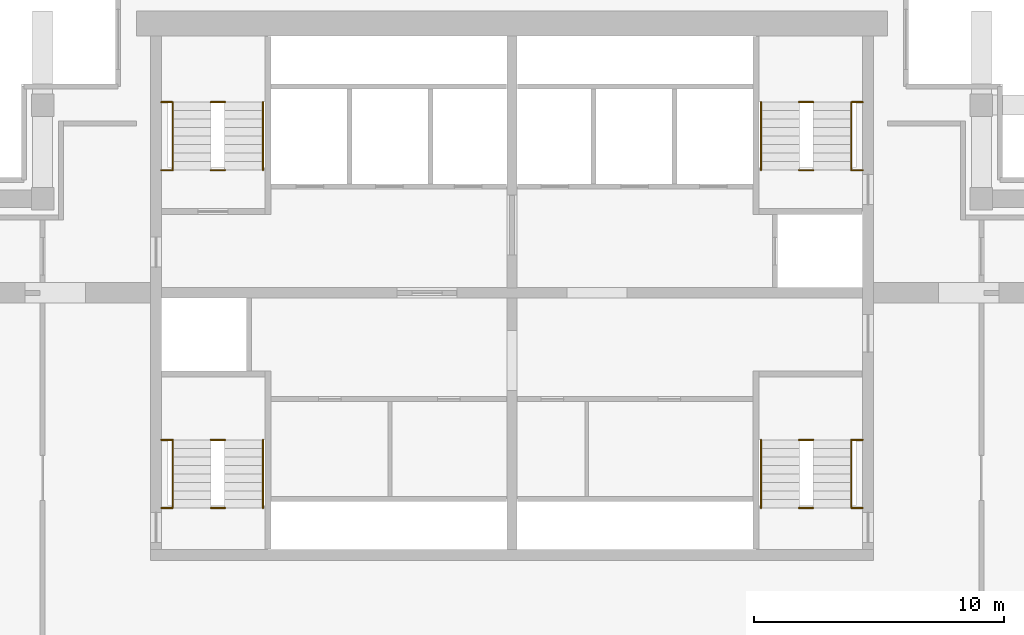
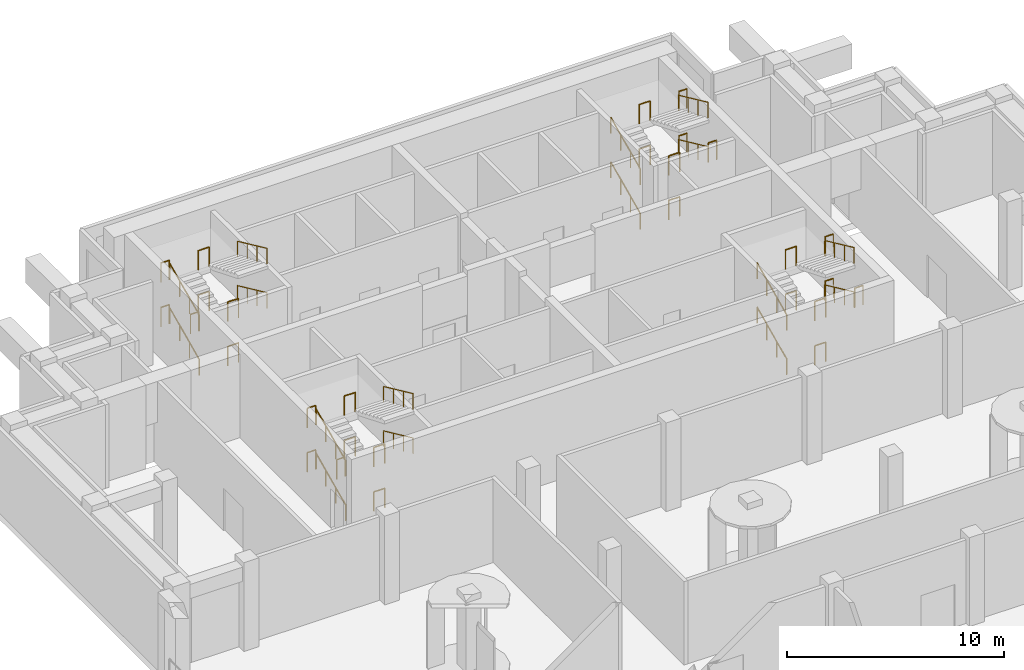
# One storey, part 7 of 8: 44 railings.
"""IFC4 building model written with IfcOpenShell, lengths in metres."""

from ifc_helpers import new_model, si_unit, direction, frame, origin, origin_2d, place, context, subcontext, project, spatial, circle, extrude, material, type_object, element, save


model = new_model("IFC4")

# Units and contexts
model_context = context("Model", 3, precision=1e-05, world=origin(), true_north=direction((0.0, 1.0)))
body_context = subcontext(model_context, "Body", "Model", "MODEL_VIEW")
ifc_project = project(units=[si_unit("LENGTHUNIT", "METRE"), si_unit("AREAUNIT", "SQUARE_METRE"), si_unit("VOLUMEUNIT", "CUBIC_METRE"), si_unit("PLANEANGLEUNIT", "RADIAN"), si_unit("MASSUNIT", "GRAM", prefix="KILO")], contexts=[model_context])

# Site, building, storey
site_placement = place(None, origin())
site = spatial("IfcSite", under=ifc_project, at=site_placement, CompositionType="ELEMENT")
building_placement = place(site_placement, origin())
building = spatial("IfcBuilding", under=site, at=building_placement, Name="Pilkhan Gate Tower", CompositionType="ELEMENT")
storey_placement = place(building_placement, frame((0.0, 0.0, 253.5)))
storey = spatial("IfcBuildingStorey", under=building, at=storey_placement, Name="L66", CompositionType="ELEMENT", Elevation=253.5)

# Railings
ifc_material_1 = material(Name="Black powder-coated steel tube", Category="steel")
railing_type_1 = type_object("IfcRailingType", Name="Stair handrail HR1", PredefinedType="HANDRAIL", material=ifc_material_1)
railing_1_placement = place(storey_placement, frame((84.949951171875, 73.89990234375, 0.0)))
element("IfcRailing", 1, at=railing_1_placement, inside=storey, type_object=railing_type_1, Name="Stair ST1 handrail L66", PredefinedType="HANDRAIL", context=body_context, shape_type="SweptSolid", body=[
    extrude(circle(Radius=0.02392578125, at=origin_2d()), frame((0.0, 0.0, 0.8759765625), z_axis=(0.0, 0.908655102025, 0.417547488994), x_axis=(-1.0, 0.0, 0.0)), (0.0, 0.0, 1.0), 2.99365234375),
    extrude(circle(Radius=0.02099609375, at=origin_2d()), origin(), (0.0, 0.0, 1.0), 0.851806640625),
    extrude(circle(Radius=0.02099609375, at=origin_2d()), frame((0.0, 0.90673828125, 0.416748046875)), (0.0, 0.0, 1.0), 0.851806640625),
    extrude(circle(Radius=0.02099609375, at=origin_2d()), frame((0.0, 1.8134765625, 0.833251953125)), (0.0, 0.0, 1.0), 0.851806640625),
    extrude(circle(Radius=0.02099609375, at=origin_2d()), frame((0.0, 2.72021484375, 1.25)), (0.0, 0.0, 1.0), 0.851806640625),
])
railing_2_placement = place(storey_placement, frame((88.550048828125, 76.6201171875, 1.25)))
element("IfcRailing", 2, at=railing_2_placement, inside=storey, type_object=railing_type_1, Name="Stair ST1 handrail L66", PredefinedType="HANDRAIL", context=body_context, shape_type="SweptSolid", body=[
    extrude(circle(Radius=0.02392578125, at=origin_2d()), frame((0.0, 0.0, 0.8759765625), z_axis=(0.0, -0.908655102025, 0.417547488994), x_axis=(1.0, 0.0, 0.0)), (0.0, 0.0, 1.0), 2.99365234375),
    extrude(circle(Radius=0.02099609375, at=origin_2d()), origin(), (0.0, 0.0, 1.0), 0.851806640625),
    extrude(circle(Radius=0.02099609375, at=origin_2d()), frame((0.0, -0.90673828125, 0.416748046875)), (0.0, 0.0, 1.0), 0.851806640625),
    extrude(circle(Radius=0.02099609375, at=origin_2d()), frame((0.0, -1.8134765625, 0.833251953125)), (0.0, 0.0, 1.0), 0.851806640625),
    extrude(circle(Radius=0.02099609375, at=origin_2d()), frame((0.0, -2.72021484375, 1.25)), (0.0, 0.0, 1.0), 0.851806640625),
])
railing_3_placement = place(storey_placement, frame((84.949951171875, 73.89990234375, 2.5)))
element("IfcRailing", 3, at=railing_3_placement, inside=storey, type_object=railing_type_1, Name="Stair ST1 handrail L66", PredefinedType="HANDRAIL", context=body_context, shape_type="SweptSolid", body=[
    extrude(circle(Radius=0.02392578125, at=origin_2d()), frame((0.0, 0.0, 0.8759765625), z_axis=(0.0, 0.908655102025, 0.417547488994), x_axis=(-1.0, 0.0, 0.0)), (0.0, 0.0, 1.0), 2.99365234375),
    extrude(circle(Radius=0.02099609375, at=origin_2d()), origin(), (0.0, 0.0, 1.0), 0.851806640625),
    extrude(circle(Radius=0.02099609375, at=origin_2d()), frame((0.0, 0.90673828125, 0.416748046875)), (0.0, 0.0, 1.0), 0.851806640625),
    extrude(circle(Radius=0.02099609375, at=origin_2d()), frame((0.0, 1.8134765625, 0.833251953125)), (0.0, 0.0, 1.0), 0.851806640625),
    extrude(circle(Radius=0.02099609375, at=origin_2d()), frame((0.0, 2.72021484375, 1.25)), (0.0, 0.0, 1.0), 0.851806640625),
])
railing_4_placement = place(storey_placement, frame((88.550048828125, 76.6201171875, 3.75)))
element("IfcRailing", 4, at=railing_4_placement, inside=storey, type_object=railing_type_1, Name="Stair ST1 handrail L66", PredefinedType="HANDRAIL", context=body_context, shape_type="SweptSolid", body=[
    extrude(circle(Radius=0.02392578125, at=origin_2d()), frame((0.0, 0.0, 0.8759765625), z_axis=(0.0, -0.908655102025, 0.417547488994), x_axis=(1.0, 0.0, 0.0)), (0.0, 0.0, 1.0), 2.99365234375),
    extrude(circle(Radius=0.02099609375, at=origin_2d()), origin(), (0.0, 0.0, 1.0), 0.851806640625),
    extrude(circle(Radius=0.02099609375, at=origin_2d()), frame((0.0, -0.90673828125, 0.416748046875)), (0.0, 0.0, 1.0), 0.851806640625),
    extrude(circle(Radius=0.02099609375, at=origin_2d()), frame((0.0, -1.8134765625, 0.833251953125)), (0.0, 0.0, 1.0), 0.851806640625),
    extrude(circle(Radius=0.02099609375, at=origin_2d()), frame((0.0, -2.72021484375, 1.25)), (0.0, 0.0, 1.0), 0.851806640625),
])
railing_5_placement = place(storey_placement, frame((61.449951171875, 73.89990234375, 0.0)))
element("IfcRailing", 5, at=railing_5_placement, inside=storey, type_object=railing_type_1, Name="Stair ST2 handrail L66", PredefinedType="HANDRAIL", context=body_context, shape_type="SweptSolid", body=[
    extrude(circle(Radius=0.02392578125, at=origin_2d()), frame((0.0, 0.0, 0.8759765625), z_axis=(0.0, 0.908655102025, 0.417547488994), x_axis=(-1.0, 0.0, 0.0)), (0.0, 0.0, 1.0), 2.99365234375),
    extrude(circle(Radius=0.02099609375, at=origin_2d()), origin(), (0.0, 0.0, 1.0), 0.851806640625),
    extrude(circle(Radius=0.02099609375, at=origin_2d()), frame((0.0, 0.90673828125, 0.416748046875)), (0.0, 0.0, 1.0), 0.851806640625),
    extrude(circle(Radius=0.02099609375, at=origin_2d()), frame((0.0, 1.8134765625, 0.833251953125)), (0.0, 0.0, 1.0), 0.851806640625),
    extrude(circle(Radius=0.02099609375, at=origin_2d()), frame((0.0, 2.72021484375, 1.25)), (0.0, 0.0, 1.0), 0.851806640625),
])
railing_6_placement = place(storey_placement, frame((65.050048828125, 76.6201171875, 1.25)))
element("IfcRailing", 6, at=railing_6_placement, inside=storey, type_object=railing_type_1, Name="Stair ST2 handrail L66", PredefinedType="HANDRAIL", context=body_context, shape_type="SweptSolid", body=[
    extrude(circle(Radius=0.02392578125, at=origin_2d()), frame((0.0, 0.0, 0.8759765625), z_axis=(0.0, -0.908655102025, 0.417547488994), x_axis=(1.0, 0.0, 0.0)), (0.0, 0.0, 1.0), 2.99365234375),
    extrude(circle(Radius=0.02099609375, at=origin_2d()), origin(), (0.0, 0.0, 1.0), 0.851806640625),
    extrude(circle(Radius=0.02099609375, at=origin_2d()), frame((0.0, -0.90673828125, 0.416748046875)), (0.0, 0.0, 1.0), 0.851806640625),
    extrude(circle(Radius=0.02099609375, at=origin_2d()), frame((0.0, -1.8134765625, 0.833251953125)), (0.0, 0.0, 1.0), 0.851806640625),
    extrude(circle(Radius=0.02099609375, at=origin_2d()), frame((0.0, -2.72021484375, 1.25)), (0.0, 0.0, 1.0), 0.851806640625),
])
railing_7_placement = place(storey_placement, frame((61.449951171875, 73.89990234375, 2.5)))
element("IfcRailing", 7, at=railing_7_placement, inside=storey, type_object=railing_type_1, Name="Stair ST2 handrail L66", PredefinedType="HANDRAIL", context=body_context, shape_type="SweptSolid", body=[
    extrude(circle(Radius=0.02392578125, at=origin_2d()), frame((0.0, 0.0, 0.8759765625), z_axis=(0.0, 0.908655102025, 0.417547488994), x_axis=(-1.0, 0.0, 0.0)), (0.0, 0.0, 1.0), 2.99365234375),
    extrude(circle(Radius=0.02099609375, at=origin_2d()), origin(), (0.0, 0.0, 1.0), 0.851806640625),
    extrude(circle(Radius=0.02099609375, at=origin_2d()), frame((0.0, 0.90673828125, 0.416748046875)), (0.0, 0.0, 1.0), 0.851806640625),
    extrude(circle(Radius=0.02099609375, at=origin_2d()), frame((0.0, 1.8134765625, 0.833251953125)), (0.0, 0.0, 1.0), 0.851806640625),
    extrude(circle(Radius=0.02099609375, at=origin_2d()), frame((0.0, 2.72021484375, 1.25)), (0.0, 0.0, 1.0), 0.851806640625),
])
railing_8_placement = place(storey_placement, frame((65.050048828125, 76.6201171875, 3.75)))
element("IfcRailing", 8, at=railing_8_placement, inside=storey, type_object=railing_type_1, Name="Stair ST2 handrail L66", PredefinedType="HANDRAIL", context=body_context, shape_type="SweptSolid", body=[
    extrude(circle(Radius=0.02392578125, at=origin_2d()), frame((0.0, 0.0, 0.8759765625), z_axis=(0.0, -0.908655102025, 0.417547488994), x_axis=(1.0, 0.0, 0.0)), (0.0, 0.0, 1.0), 2.99365234375),
    extrude(circle(Radius=0.02099609375, at=origin_2d()), origin(), (0.0, 0.0, 1.0), 0.851806640625),
    extrude(circle(Radius=0.02099609375, at=origin_2d()), frame((0.0, -0.90673828125, 0.416748046875)), (0.0, 0.0, 1.0), 0.851806640625),
    extrude(circle(Radius=0.02099609375, at=origin_2d()), frame((0.0, -1.8134765625, 0.833251953125)), (0.0, 0.0, 1.0), 0.851806640625),
    extrude(circle(Radius=0.02099609375, at=origin_2d()), frame((0.0, -2.72021484375, 1.25)), (0.0, 0.0, 1.0), 0.851806640625),
])
railing_9_placement = place(storey_placement, frame((61.449951171875, 87.39990234375, 0.0)))
element("IfcRailing", 9, at=railing_9_placement, inside=storey, type_object=railing_type_1, Name="Stair ST3 handrail L66", PredefinedType="HANDRAIL", context=body_context, shape_type="SweptSolid", body=[
    extrude(circle(Radius=0.02392578125, at=origin_2d()), frame((0.0, 0.0, 0.8759765625), z_axis=(0.0, 0.908655102025, 0.417547488994), x_axis=(-1.0, 0.0, 0.0)), (0.0, 0.0, 1.0), 2.99365234375),
    extrude(circle(Radius=0.02099609375, at=origin_2d()), origin(), (0.0, 0.0, 1.0), 0.851806640625),
    extrude(circle(Radius=0.02099609375, at=origin_2d()), frame((0.0, 0.90673828125, 0.416748046875)), (0.0, 0.0, 1.0), 0.851806640625),
    extrude(circle(Radius=0.02099609375, at=origin_2d()), frame((0.0, 1.8134765625, 0.833251953125)), (0.0, 0.0, 1.0), 0.851806640625),
    extrude(circle(Radius=0.02099609375, at=origin_2d()), frame((0.0, 2.72021484375, 1.25)), (0.0, 0.0, 1.0), 0.851806640625),
])
railing_10_placement = place(storey_placement, frame((65.050048828125, 90.1201171875, 1.25)))
element("IfcRailing", 10, at=railing_10_placement, inside=storey, type_object=railing_type_1, Name="Stair ST3 handrail L66", PredefinedType="HANDRAIL", context=body_context, shape_type="SweptSolid", body=[
    extrude(circle(Radius=0.02392578125, at=origin_2d()), frame((0.0, 0.0, 0.8759765625), z_axis=(0.0, -0.908655102025, 0.417547488994), x_axis=(1.0, 0.0, 0.0)), (0.0, 0.0, 1.0), 2.99365234375),
    extrude(circle(Radius=0.02099609375, at=origin_2d()), origin(), (0.0, 0.0, 1.0), 0.851806640625),
    extrude(circle(Radius=0.02099609375, at=origin_2d()), frame((0.0, -0.90673828125, 0.416748046875)), (0.0, 0.0, 1.0), 0.851806640625),
    extrude(circle(Radius=0.02099609375, at=origin_2d()), frame((0.0, -1.8134765625, 0.833251953125)), (0.0, 0.0, 1.0), 0.851806640625),
    extrude(circle(Radius=0.02099609375, at=origin_2d()), frame((0.0, -2.72021484375, 1.25)), (0.0, 0.0, 1.0), 0.851806640625),
])
railing_11_placement = place(storey_placement, frame((61.449951171875, 87.39990234375, 2.5)))
element("IfcRailing", 11, at=railing_11_placement, inside=storey, type_object=railing_type_1, Name="Stair ST3 handrail L66", PredefinedType="HANDRAIL", context=body_context, shape_type="SweptSolid", body=[
    extrude(circle(Radius=0.02392578125, at=origin_2d()), frame((0.0, 0.0, 0.8759765625), z_axis=(0.0, 0.908655102025, 0.417547488994), x_axis=(-1.0, 0.0, 0.0)), (0.0, 0.0, 1.0), 2.99365234375),
    extrude(circle(Radius=0.02099609375, at=origin_2d()), origin(), (0.0, 0.0, 1.0), 0.851806640625),
    extrude(circle(Radius=0.02099609375, at=origin_2d()), frame((0.0, 0.90673828125, 0.416748046875)), (0.0, 0.0, 1.0), 0.851806640625),
    extrude(circle(Radius=0.02099609375, at=origin_2d()), frame((0.0, 1.8134765625, 0.833251953125)), (0.0, 0.0, 1.0), 0.851806640625),
    extrude(circle(Radius=0.02099609375, at=origin_2d()), frame((0.0, 2.72021484375, 1.25)), (0.0, 0.0, 1.0), 0.851806640625),
])
railing_12_placement = place(storey_placement, frame((65.050048828125, 90.1201171875, 3.75)))
element("IfcRailing", 12, at=railing_12_placement, inside=storey, type_object=railing_type_1, Name="Stair ST3 handrail L66", PredefinedType="HANDRAIL", context=body_context, shape_type="SweptSolid", body=[
    extrude(circle(Radius=0.02392578125, at=origin_2d()), frame((0.0, 0.0, 0.8759765625), z_axis=(0.0, -0.908655102025, 0.417547488994), x_axis=(1.0, 0.0, 0.0)), (0.0, 0.0, 1.0), 2.99365234375),
    extrude(circle(Radius=0.02099609375, at=origin_2d()), origin(), (0.0, 0.0, 1.0), 0.851806640625),
    extrude(circle(Radius=0.02099609375, at=origin_2d()), frame((0.0, -0.90673828125, 0.416748046875)), (0.0, 0.0, 1.0), 0.851806640625),
    extrude(circle(Radius=0.02099609375, at=origin_2d()), frame((0.0, -1.8134765625, 0.833251953125)), (0.0, 0.0, 1.0), 0.851806640625),
    extrude(circle(Radius=0.02099609375, at=origin_2d()), frame((0.0, -2.72021484375, 1.25)), (0.0, 0.0, 1.0), 0.851806640625),
])
railing_13_placement = place(storey_placement, frame((84.949951171875, 87.39990234375, 0.0)))
element("IfcRailing", 13, at=railing_13_placement, inside=storey, type_object=railing_type_1, Name="Stair ST4 handrail L66", PredefinedType="HANDRAIL", context=body_context, shape_type="SweptSolid", body=[
    extrude(circle(Radius=0.02392578125, at=origin_2d()), frame((0.0, 0.0, 0.8759765625), z_axis=(0.0, 0.908655102025, 0.417547488994), x_axis=(-1.0, 0.0, 0.0)), (0.0, 0.0, 1.0), 2.99365234375),
    extrude(circle(Radius=0.02099609375, at=origin_2d()), origin(), (0.0, 0.0, 1.0), 0.851806640625),
    extrude(circle(Radius=0.02099609375, at=origin_2d()), frame((0.0, 0.90673828125, 0.416748046875)), (0.0, 0.0, 1.0), 0.851806640625),
    extrude(circle(Radius=0.02099609375, at=origin_2d()), frame((0.0, 1.8134765625, 0.833251953125)), (0.0, 0.0, 1.0), 0.851806640625),
    extrude(circle(Radius=0.02099609375, at=origin_2d()), frame((0.0, 2.72021484375, 1.25)), (0.0, 0.0, 1.0), 0.851806640625),
])
railing_14_placement = place(storey_placement, frame((88.550048828125, 90.1201171875, 1.25)))
element("IfcRailing", 14, at=railing_14_placement, inside=storey, type_object=railing_type_1, Name="Stair ST4 handrail L66", PredefinedType="HANDRAIL", context=body_context, shape_type="SweptSolid", body=[
    extrude(circle(Radius=0.02392578125, at=origin_2d()), frame((0.0, 0.0, 0.8759765625), z_axis=(0.0, -0.908655102025, 0.417547488994), x_axis=(1.0, 0.0, 0.0)), (0.0, 0.0, 1.0), 2.99365234375),
    extrude(circle(Radius=0.02099609375, at=origin_2d()), origin(), (0.0, 0.0, 1.0), 0.851806640625),
    extrude(circle(Radius=0.02099609375, at=origin_2d()), frame((0.0, -0.90673828125, 0.416748046875)), (0.0, 0.0, 1.0), 0.851806640625),
    extrude(circle(Radius=0.02099609375, at=origin_2d()), frame((0.0, -1.8134765625, 0.833251953125)), (0.0, 0.0, 1.0), 0.851806640625),
    extrude(circle(Radius=0.02099609375, at=origin_2d()), frame((0.0, -2.72021484375, 1.25)), (0.0, 0.0, 1.0), 0.851806640625),
])
railing_15_placement = place(storey_placement, frame((84.949951171875, 87.39990234375, 2.5)))
element("IfcRailing", 15, at=railing_15_placement, inside=storey, type_object=railing_type_1, Name="Stair ST4 handrail L66", PredefinedType="HANDRAIL", context=body_context, shape_type="SweptSolid", body=[
    extrude(circle(Radius=0.02392578125, at=origin_2d()), frame((0.0, 0.0, 0.8759765625), z_axis=(0.0, 0.908655102025, 0.417547488994), x_axis=(-1.0, 0.0, 0.0)), (0.0, 0.0, 1.0), 2.99365234375),
    extrude(circle(Radius=0.02099609375, at=origin_2d()), origin(), (0.0, 0.0, 1.0), 0.851806640625),
    extrude(circle(Radius=0.02099609375, at=origin_2d()), frame((0.0, 0.90673828125, 0.416748046875)), (0.0, 0.0, 1.0), 0.851806640625),
    extrude(circle(Radius=0.02099609375, at=origin_2d()), frame((0.0, 1.8134765625, 0.833251953125)), (0.0, 0.0, 1.0), 0.851806640625),
    extrude(circle(Radius=0.02099609375, at=origin_2d()), frame((0.0, 2.72021484375, 1.25)), (0.0, 0.0, 1.0), 0.851806640625),
])
railing_16_placement = place(storey_placement, frame((88.550048828125, 90.1201171875, 3.75)))
element("IfcRailing", 16, at=railing_16_placement, inside=storey, type_object=railing_type_1, Name="Stair ST4 handrail L66", PredefinedType="HANDRAIL", context=body_context, shape_type="SweptSolid", body=[
    extrude(circle(Radius=0.02392578125, at=origin_2d()), frame((0.0, 0.0, 0.8759765625), z_axis=(0.0, -0.908655102025, 0.417547488994), x_axis=(1.0, 0.0, 0.0)), (0.0, 0.0, 1.0), 2.99365234375),
    extrude(circle(Radius=0.02099609375, at=origin_2d()), origin(), (0.0, 0.0, 1.0), 0.851806640625),
    extrude(circle(Radius=0.02099609375, at=origin_2d()), frame((0.0, -0.90673828125, 0.416748046875)), (0.0, 0.0, 1.0), 0.851806640625),
    extrude(circle(Radius=0.02099609375, at=origin_2d()), frame((0.0, -1.8134765625, 0.833251953125)), (0.0, 0.0, 1.0), 0.851806640625),
    extrude(circle(Radius=0.02099609375, at=origin_2d()), frame((0.0, -2.72021484375, 1.25)), (0.0, 0.0, 1.0), 0.851806640625),
])
ifc_material_2 = material(Name="Black powder-coated steel balusters", Category="steel")
railing_type_2 = type_object("IfcRailingType", Name="Stair well guard G3", PredefinedType="GUARDRAIL", material=ifc_material_2)
for number, where, name in (
    (17, (88.580078125, 76.6201171875, 1.25), "Stair ST1 well guard L66"),
    (18, (88.580078125, 73.89990234375, 2.5), "Stair ST1 well guard L66"),
    (19, (88.580078125, 76.6201171875, 3.75), "Stair ST1 well guard L66"),
):
    element("IfcRailing", number, at=place(storey_placement, frame(where)), inside=storey, type_object=railing_type_2, Name=name, PredefinedType="GUARDRAIL", context=body_context, shape_type="SweptSolid", body=[
        extrude(circle(Radius=0.02392578125, at=origin_2d()), frame((0.0, 0.0, 1.076171875), z_axis=(1.0, 0.0, 0.0), x_axis=(0.0, 1.0, 0.0)), (0.0, 0.0, 1.0), 0.43994140625),
        extrude(circle(Radius=0.02099609375, at=origin_2d()), origin(), (0.0, 0.0, 1.0), 1.052001953125),
        extrude(circle(Radius=0.02099609375, at=origin_2d()), frame((0.43994140625, 0.0, 0.0)), (0.0, 0.0, 1.0), 1.052001953125),
    ])
for number, where, name in (
    (20, (86.4599609375, 73.89990234375, 0.0), "Stair ST1 well guard L66"),
    (21, (86.4599609375, 76.6201171875, 1.25), "Stair ST1 well guard L66"),
    (22, (86.4599609375, 73.89990234375, 2.5), "Stair ST1 well guard L66"),
    (23, (86.4599609375, 76.6201171875, 3.75), "Stair ST1 well guard L66"),
):
    element("IfcRailing", number, at=place(storey_placement, frame(where)), inside=storey, type_object=railing_type_2, Name=name, PredefinedType="GUARDRAIL", context=body_context, shape_type="SweptSolid", body=[
        extrude(circle(Radius=0.02392578125, at=origin_2d()), frame((0.0, 0.0, 1.076171875), z_axis=(1.0, 0.0, 0.0), x_axis=(0.0, 1.0, 0.0)), (0.0, 0.0, 1.0), 0.580078125),
        extrude(circle(Radius=0.02099609375, at=origin_2d()), origin(), (0.0, 0.0, 1.0), 1.052001953125),
        extrude(circle(Radius=0.02099609375, at=origin_2d()), frame((0.580078125, 0.0, 0.0)), (0.0, 0.0, 1.0), 1.052001953125),
    ])
for number, where, name in (
    (24, (60.97998046875, 76.6201171875, 1.25), "Stair ST2 well guard L66"),
    (25, (60.97998046875, 73.89990234375, 2.5), "Stair ST2 well guard L66"),
    (26, (60.97998046875, 76.6201171875, 3.75), "Stair ST2 well guard L66"),
):
    element("IfcRailing", number, at=place(storey_placement, frame(where)), inside=storey, type_object=railing_type_2, Name=name, PredefinedType="GUARDRAIL", context=body_context, shape_type="SweptSolid", body=[
        extrude(circle(Radius=0.02392578125, at=origin_2d()), frame((0.0, 0.0, 1.076171875), z_axis=(1.0, 0.0, 0.0), x_axis=(0.0, 1.0, 0.0)), (0.0, 0.0, 1.0), 0.43994140625),
        extrude(circle(Radius=0.02099609375, at=origin_2d()), origin(), (0.0, 0.0, 1.0), 1.052001953125),
        extrude(circle(Radius=0.02099609375, at=origin_2d()), frame((0.43994140625, 0.0, 0.0)), (0.0, 0.0, 1.0), 1.052001953125),
    ])
for number, where, name in (
    (27, (62.9599609375, 73.89990234375, 0.0), "Stair ST2 well guard L66"),
    (28, (62.9599609375, 76.6201171875, 1.25), "Stair ST2 well guard L66"),
    (29, (62.9599609375, 73.89990234375, 2.5), "Stair ST2 well guard L66"),
    (30, (62.9599609375, 76.6201171875, 3.75), "Stair ST2 well guard L66"),
):
    element("IfcRailing", number, at=place(storey_placement, frame(where)), inside=storey, type_object=railing_type_2, Name=name, PredefinedType="GUARDRAIL", context=body_context, shape_type="SweptSolid", body=[
        extrude(circle(Radius=0.02392578125, at=origin_2d()), frame((0.0, 0.0, 1.076171875), z_axis=(1.0, 0.0, 0.0), x_axis=(0.0, 1.0, 0.0)), (0.0, 0.0, 1.0), 0.580078125),
        extrude(circle(Radius=0.02099609375, at=origin_2d()), origin(), (0.0, 0.0, 1.0), 1.052001953125),
        extrude(circle(Radius=0.02099609375, at=origin_2d()), frame((0.580078125, 0.0, 0.0)), (0.0, 0.0, 1.0), 1.052001953125),
    ])
for number, where, name in (
    (31, (60.97998046875, 90.1201171875, 1.25), "Stair ST3 well guard L66"),
    (32, (60.97998046875, 87.39990234375, 2.5), "Stair ST3 well guard L66"),
    (33, (60.97998046875, 90.1201171875, 3.75), "Stair ST3 well guard L66"),
):
    element("IfcRailing", number, at=place(storey_placement, frame(where)), inside=storey, type_object=railing_type_2, Name=name, PredefinedType="GUARDRAIL", context=body_context, shape_type="SweptSolid", body=[
        extrude(circle(Radius=0.02392578125, at=origin_2d()), frame((0.0, 0.0, 1.076171875), z_axis=(1.0, 0.0, 0.0), x_axis=(0.0, 1.0, 0.0)), (0.0, 0.0, 1.0), 0.43994140625),
        extrude(circle(Radius=0.02099609375, at=origin_2d()), origin(), (0.0, 0.0, 1.0), 1.052001953125),
        extrude(circle(Radius=0.02099609375, at=origin_2d()), frame((0.43994140625, 0.0, 0.0)), (0.0, 0.0, 1.0), 1.052001953125),
    ])
for number, where, name in (
    (34, (62.9599609375, 87.39990234375, 0.0), "Stair ST3 well guard L66"),
    (35, (62.9599609375, 90.1201171875, 1.25), "Stair ST3 well guard L66"),
    (36, (62.9599609375, 87.39990234375, 2.5), "Stair ST3 well guard L66"),
    (37, (62.9599609375, 90.1201171875, 3.75), "Stair ST3 well guard L66"),
):
    element("IfcRailing", number, at=place(storey_placement, frame(where)), inside=storey, type_object=railing_type_2, Name=name, PredefinedType="GUARDRAIL", context=body_context, shape_type="SweptSolid", body=[
        extrude(circle(Radius=0.02392578125, at=origin_2d()), frame((0.0, 0.0, 1.076171875), z_axis=(1.0, 0.0, 0.0), x_axis=(0.0, 1.0, 0.0)), (0.0, 0.0, 1.0), 0.580078125),
        extrude(circle(Radius=0.02099609375, at=origin_2d()), origin(), (0.0, 0.0, 1.0), 1.052001953125),
        extrude(circle(Radius=0.02099609375, at=origin_2d()), frame((0.580078125, 0.0, 0.0)), (0.0, 0.0, 1.0), 1.052001953125),
    ])
for number, where, name in (
    (38, (88.580078125, 90.1201171875, 1.25), "Stair ST4 well guard L66"),
    (39, (88.580078125, 87.39990234375, 2.5), "Stair ST4 well guard L66"),
    (40, (88.580078125, 90.1201171875, 3.75), "Stair ST4 well guard L66"),
):
    element("IfcRailing", number, at=place(storey_placement, frame(where)), inside=storey, type_object=railing_type_2, Name=name, PredefinedType="GUARDRAIL", context=body_context, shape_type="SweptSolid", body=[
        extrude(circle(Radius=0.02392578125, at=origin_2d()), frame((0.0, 0.0, 1.076171875), z_axis=(1.0, 0.0, 0.0), x_axis=(0.0, 1.0, 0.0)), (0.0, 0.0, 1.0), 0.43994140625),
        extrude(circle(Radius=0.02099609375, at=origin_2d()), origin(), (0.0, 0.0, 1.0), 1.052001953125),
        extrude(circle(Radius=0.02099609375, at=origin_2d()), frame((0.43994140625, 0.0, 0.0)), (0.0, 0.0, 1.0), 1.052001953125),
    ])
for number, where, name in (
    (41, (86.4599609375, 87.39990234375, 0.0), "Stair ST4 well guard L66"),
    (42, (86.4599609375, 90.1201171875, 1.25), "Stair ST4 well guard L66"),
    (43, (86.4599609375, 87.39990234375, 2.5), "Stair ST4 well guard L66"),
    (44, (86.4599609375, 90.1201171875, 3.75), "Stair ST4 well guard L66"),
):
    element("IfcRailing", number, at=place(storey_placement, frame(where)), inside=storey, type_object=railing_type_2, Name=name, PredefinedType="GUARDRAIL", context=body_context, shape_type="SweptSolid", body=[
        extrude(circle(Radius=0.02392578125, at=origin_2d()), frame((0.0, 0.0, 1.076171875), z_axis=(1.0, 0.0, 0.0), x_axis=(0.0, 1.0, 0.0)), (0.0, 0.0, 1.0), 0.580078125),
        extrude(circle(Radius=0.02099609375, at=origin_2d()), origin(), (0.0, 0.0, 1.0), 1.052001953125),
        extrude(circle(Radius=0.02099609375, at=origin_2d()), frame((0.580078125, 0.0, 0.0)), (0.0, 0.0, 1.0), 1.052001953125),
    ])

save(model, "model.ifc")
